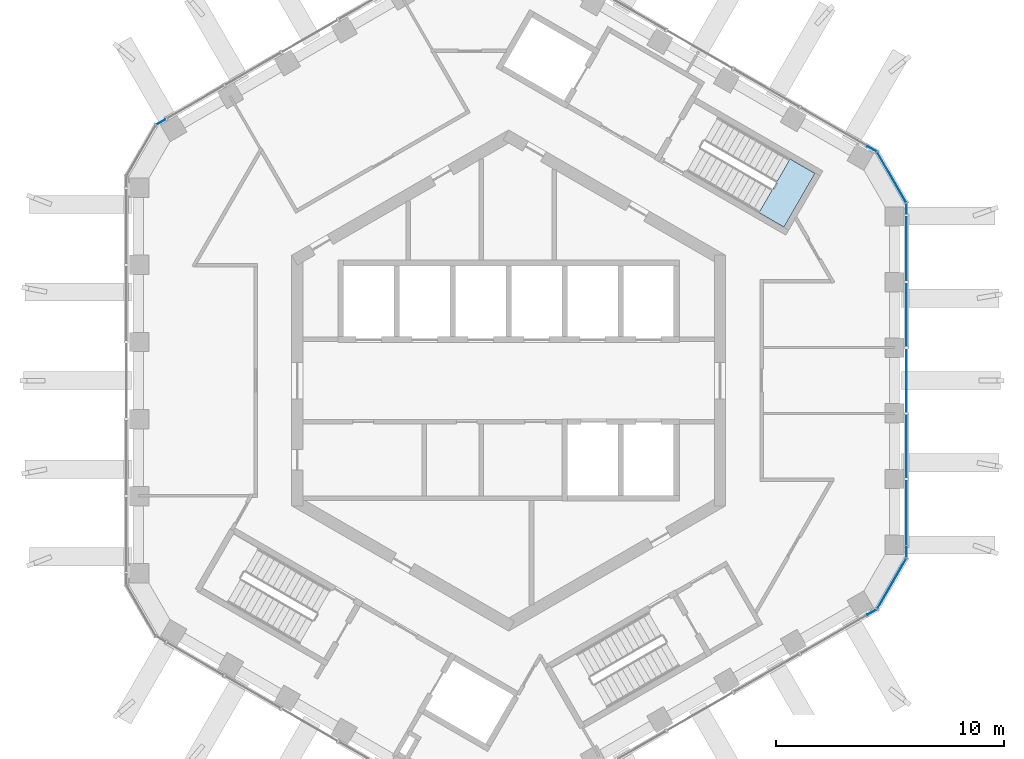
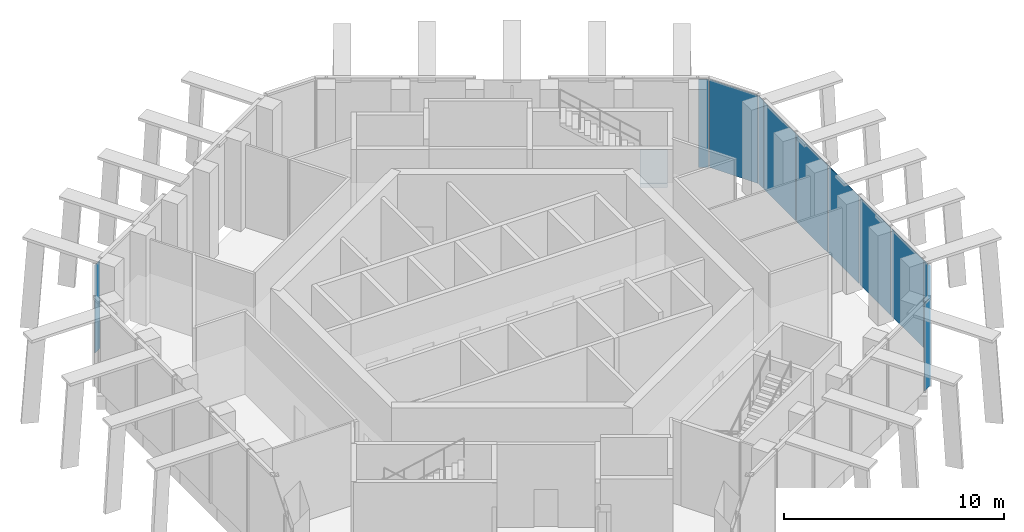
# One storey, part 9 of 17: 12 plates, 1 slab, 5 elements without a shape of their own.
"""IFC4 building model written with IfcOpenShell, lengths in metres."""

from ifc_helpers import new_model, si_unit, direction, frame, origin, origin_2d, place, context, subcontext, project, spatial, polyline, rectangle, outline, extrude, material, layer, layer_set, type_object, element, aggregate, save


model = new_model("IFC4")

# Units and contexts
model_context = context("Model", 3, precision=1e-05, world=origin(), true_north=direction((0.0, 1.0)))
body_context = subcontext(model_context, "Body", "Model", "MODEL_VIEW")
ifc_project = project(units=[si_unit("LENGTHUNIT", "METRE"), si_unit("AREAUNIT", "SQUARE_METRE"), si_unit("VOLUMEUNIT", "CUBIC_METRE"), si_unit("PLANEANGLEUNIT", "RADIAN"), si_unit("MASSUNIT", "GRAM", prefix="KILO")], contexts=[model_context])

# Site, building, storey
site_placement = place(None, origin())
site = spatial("IfcSite", under=ifc_project, at=site_placement, CompositionType="ELEMENT")
building_placement = place(site_placement, origin())
building = spatial("IfcBuilding", under=site, at=building_placement, Name="Ayvan Gate Tower", CompositionType="ELEMENT")
storey_placement = place(building_placement, frame((0.0, 0.0, 257.89990234375)))
storey = spatial("IfcBuildingStorey", under=building, at=storey_placement, Name="L69", CompositionType="ELEMENT", Elevation=257.89990234375)

# Stair, slab
ifc_material_1 = material(Name="Concrete C40/50", Category="concrete")
stair_type = type_object("IfcStairType", Name="ST-EXIT", PredefinedType="HALF_TURN_STAIR", material=ifc_material_1)
stair_placement = place(storey_placement, origin())
stair = element("IfcStair", 1, at=stair_placement, inside=storey, type_object=stair_type, Name="L69 Exit Stair S1", PredefinedType="HALF_TURN_STAIR")
ifc_layer_1 = layer(ifc_material_1, 0.199951171875)
ifc_layer_set_1 = layer_set([ifc_layer_1], Name="Concrete C40/50")
slab_type = type_object("IfcSlabType", Name="SL-LANDING-200", PredefinedType="LANDING", material=ifc_layer_set_1)
slab_placement = place(storey_placement, frame((0.0, 0.0, 2.300048828125)))
slab = element("IfcSlab", 2, at=slab_placement, type_object=slab_type, Name="STS1 landing 1", PredefinedType="LANDING", context=body_context, shape_type="SweptSolid", body=[
    extrude(outline(polyline([(10.95849609375, 7.3505859375), (12.049560546875, 6.720458984375), (13.404541015625, 9.0673828125), (12.3134765625, 9.697509765625), (10.95849609375, 7.3505859375)])), origin(), (0.0, 0.0, 1.0), 0.199951171875),
])
aggregate(stair, [slab])

# Curtain wall, plates
ifc_material_2 = material(Name="Bronze anodised aluminium", Category="aluminium")
ifc_layer_2 = layer(ifc_material_2, 0.199951171875)
ifc_layer_set_2 = layer_set([ifc_layer_2], Name="Bronze anodised aluminium")
curtain_wall_type_1 = type_object("IfcCurtainWallType", Name="Stick curtain wall CW-5", PredefinedType="NOTDEFINED", material=ifc_layer_set_2)
curtain_wall_1_placement = place(storey_placement, origin())
curtain_wall_1 = element("IfcCurtainWall", 3, at=curtain_wall_1_placement, inside=storey, type_object=curtain_wall_type_1, Name="Stick curtain wall CW-5 L69", PredefinedType="NOTDEFINED")
ifc_material_3 = material(Name="Clear low-iron laminated glass", Category="glass")
ifc_layer_3 = layer(ifc_material_3, 0.028076171875)
ifc_layer_set_3 = layer_set([ifc_layer_3], Name="Clear low-iron laminated glass")
plate_type_1 = type_object("IfcPlateType", Name="Stick curtain wall CW-5 glass panel", PredefinedType="CURTAIN_PANEL", material=ifc_layer_set_3)
plate_1_placement = place(storey_placement, frame((17.41259765625, -5.804931640625, 0.0), z_axis=(0.0, 0.0, 1.0), x_axis=(0.0, 1.0, 0.0)))
plate_1 = element("IfcPlate", 4, at=plate_1_placement, type_object=plate_type_1, Name="CW-5 glass panel 1", PredefinedType="CURTAIN_PANEL", context=body_context, shape_type="SweptSolid", body=[
    extrude(rectangle(XDim=2.902099609375, YDim=0.028076171875, at=origin_2d()), origin(), (0.0, 0.0, 1.0), 4.85009765625),
])
plate_2_placement = place(storey_placement, frame((17.41259765625, -2.87255859375, 0.0), z_axis=(0.0, 0.0, 1.0), x_axis=(0.0, 1.0, 0.0)))
plate_2 = element("IfcPlate", 5, at=plate_2_placement, type_object=plate_type_1, Name="CW-5 glass panel 2", PredefinedType="CURTAIN_PANEL", context=body_context, shape_type="SweptSolid", body=[
    extrude(rectangle(XDim=2.782958984375, YDim=0.028076171875, at=origin_2d()), origin(), (0.0, 0.0, 1.0), 4.85009765625),
])
plate_3_placement = place(storey_placement, frame((17.41259765625, 0.0, 0.0), z_axis=(0.0, 0.0, 1.0), x_axis=(0.0, 1.0, 0.0)))
plate_3 = element("IfcPlate", 6, at=plate_3_placement, type_object=plate_type_1, Name="CW-5 glass panel 3", PredefinedType="CURTAIN_PANEL", context=body_context, shape_type="SweptSolid", body=[
    extrude(rectangle(XDim=2.781982421875, YDim=0.028076171875, at=origin_2d()), origin(), (0.0, 0.0, 1.0), 4.85009765625),
])
plate_4_placement = place(storey_placement, frame((17.41259765625, 2.87255859375, 0.0), z_axis=(0.0, 0.0, 1.0), x_axis=(0.0, 1.0, 0.0)))
plate_4 = element("IfcPlate", 7, at=plate_4_placement, type_object=plate_type_1, Name="CW-5 glass panel 4", PredefinedType="CURTAIN_PANEL", context=body_context, shape_type="SweptSolid", body=[
    extrude(rectangle(XDim=2.782958984375, YDim=0.028076171875, at=origin_2d()), origin(), (0.0, 0.0, 1.0), 4.85009765625),
])
plate_5_placement = place(storey_placement, frame((17.41259765625, 5.804931640625, 0.0), z_axis=(0.0, 0.0, 1.0), x_axis=(0.0, 1.0, 0.0)))
plate_5 = element("IfcPlate", 8, at=plate_5_placement, type_object=plate_type_1, Name="CW-5 glass panel 5", PredefinedType="CURTAIN_PANEL", context=body_context, shape_type="SweptSolid", body=[
    extrude(rectangle(XDim=2.902099609375, YDim=0.028076171875, at=origin_2d()), origin(), (0.0, 0.0, 1.0), 4.85009765625),
])
aggregate(curtain_wall_1, [plate_1, plate_2, plate_3, plate_4, plate_5])

# Curtain wall, plate
ifc_layer_4 = layer(ifc_material_2, 0.199951171875)
ifc_layer_set_4 = layer_set([ifc_layer_4], Name="Bronze anodised aluminium")
curtain_wall_type_2 = type_object("IfcCurtainWallType", Name="Stick curtain wall CW-6", PredefinedType="NOTDEFINED", material=ifc_layer_set_4)
curtain_wall_2_placement = place(storey_placement, origin())
curtain_wall_2 = element("IfcCurtainWall", 9, at=curtain_wall_2_placement, inside=storey, type_object=curtain_wall_type_2, Name="Stick curtain wall CW-6 L69", PredefinedType="NOTDEFINED")
ifc_layer_5 = layer(ifc_material_3, 0.028076171875)
ifc_layer_set_5 = layer_set([ifc_layer_5], Name="Clear low-iron laminated glass")
plate_type_2 = type_object("IfcPlateType", Name="Stick curtain wall CW-6 glass panel", PredefinedType="CURTAIN_PANEL", material=ifc_layer_set_5)
plate_6_placement = place(storey_placement, frame((-15.223876953125, 11.316650390625, 0.000244140625), z_axis=(0.0, 0.0, 1.0), x_axis=(-0.866025403784, -0.5, 0.0)))
plate_6 = element("IfcPlate", 10, at=plate_6_placement, type_object=plate_type_2, Name="CW-6 glass panel 1", PredefinedType="CURTAIN_PANEL", context=body_context, shape_type="SweptSolid", body=[
    extrude(rectangle(XDim=0.449951171875, YDim=0.028076171875, at=origin_2d()), origin(), (0.0, 0.0, 1.0), 4.8798828125),
])
aggregate(curtain_wall_2, [plate_6])

# Curtain wall, plates
curtain_wall_3_placement = place(storey_placement, origin())
curtain_wall_3 = element("IfcCurtainWall", 11, at=curtain_wall_3_placement, inside=storey, type_object=curtain_wall_type_2, Name="Stick curtain wall CW-6 L69", PredefinedType="NOTDEFINED")
plate_7_placement = place(storey_placement, frame((15.90478515625, -10.137451171875, 0.000244140625), z_axis=(0.0, 0.0, 1.0), x_axis=(0.866025403784, 0.5, 0.0)))
plate_7 = element("IfcPlate", 12, at=plate_7_placement, type_object=plate_type_2, Name="CW-6 glass panel 1", PredefinedType="CURTAIN_PANEL", context=body_context, shape_type="SweptSolid", body=[
    extrude(rectangle(XDim=0.449951171875, YDim=0.028076171875, at=origin_2d()), origin(), (0.0, 0.0, 1.0), 4.8798828125),
])
plate_8_placement = place(storey_placement, frame((16.766845703125, -8.894287109375, 0.000244140625), z_axis=(0.0, 0.0, 1.0), x_axis=(0.5, 0.866025403784, 0.0)))
plate_8 = element("IfcPlate", 13, at=plate_8_placement, type_object=plate_type_2, Name="CW-6 glass panel 2", PredefinedType="CURTAIN_PANEL", context=body_context, shape_type="SweptSolid", body=[
    extrude(rectangle(XDim=2.532470703125, YDim=0.028076171875, at=origin_2d()), origin(), (0.0, 0.0, 1.0), 4.8798828125),
])
plate_9_placement = place(storey_placement, frame((17.41259765625, -7.526123046875, 0.000244140625), z_axis=(0.0, 0.0, 1.0), x_axis=(0.0, 1.0, 0.0)))
plate_9 = element("IfcPlate", 14, at=plate_9_placement, type_object=plate_type_2, Name="CW-6 glass panel 3", PredefinedType="CURTAIN_PANEL", context=body_context, shape_type="SweptSolid", body=[
    extrude(rectangle(XDim=0.449951171875, YDim=0.028076171875, at=origin_2d()), origin(), (0.0, 0.0, 1.0), 4.8798828125),
])
aggregate(curtain_wall_3, [plate_7, plate_8, plate_9])

curtain_wall_4_placement = place(storey_placement, origin())
curtain_wall_4 = element("IfcCurtainWall", 15, at=curtain_wall_4_placement, inside=storey, type_object=curtain_wall_type_2, Name="Stick curtain wall CW-6 L69", PredefinedType="NOTDEFINED")
plate_10_placement = place(storey_placement, frame((17.41259765625, 7.526123046875, 0.000244140625), z_axis=(0.0, 0.0, 1.0), x_axis=(0.0, 1.0, 0.0)))
plate_10 = element("IfcPlate", 16, at=plate_10_placement, type_object=plate_type_2, Name="CW-6 glass panel 1", PredefinedType="CURTAIN_PANEL", context=body_context, shape_type="SweptSolid", body=[
    extrude(rectangle(XDim=0.449951171875, YDim=0.028076171875, at=origin_2d()), origin(), (0.0, 0.0, 1.0), 4.8798828125),
])
plate_11_placement = place(storey_placement, frame((16.766845703125, 8.894287109375, 0.000244140625), z_axis=(0.0, 0.0, 1.0), x_axis=(-0.5, 0.866025403784, 0.0)))
plate_11 = element("IfcPlate", 17, at=plate_11_placement, type_object=plate_type_2, Name="CW-6 glass panel 2", PredefinedType="CURTAIN_PANEL", context=body_context, shape_type="SweptSolid", body=[
    extrude(rectangle(XDim=2.532470703125, YDim=0.028076171875, at=origin_2d()), origin(), (0.0, 0.0, 1.0), 4.8798828125),
])
plate_12_placement = place(storey_placement, frame((15.90478515625, 10.137451171875, 0.000244140625), z_axis=(0.0, 0.0, 1.0), x_axis=(-0.866025403784, 0.5, 0.0)))
plate_12 = element("IfcPlate", 18, at=plate_12_placement, type_object=plate_type_2, Name="CW-6 glass panel 3", PredefinedType="CURTAIN_PANEL", context=body_context, shape_type="SweptSolid", body=[
    extrude(rectangle(XDim=0.449951171875, YDim=0.028076171875, at=origin_2d()), origin(), (0.0, 0.0, 1.0), 4.8798828125),
])
aggregate(curtain_wall_4, [plate_10, plate_11, plate_12])

save(model, "model.ifc")
